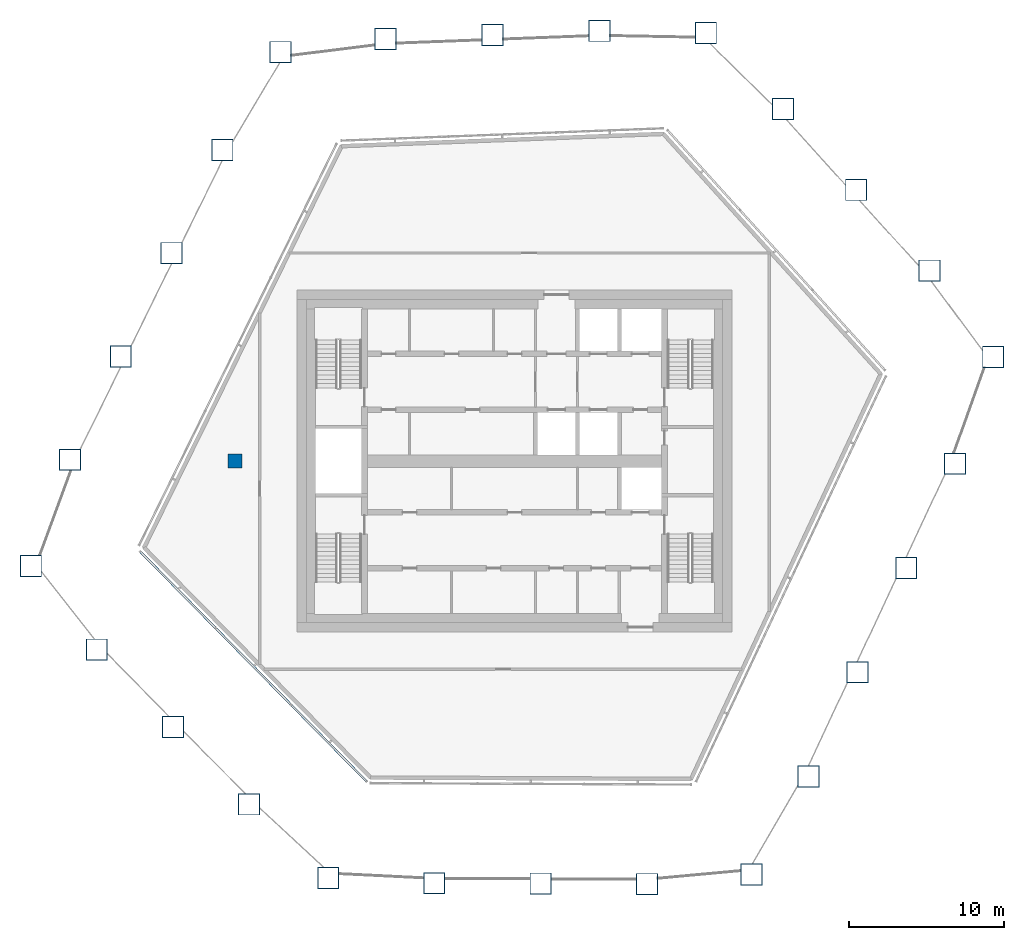
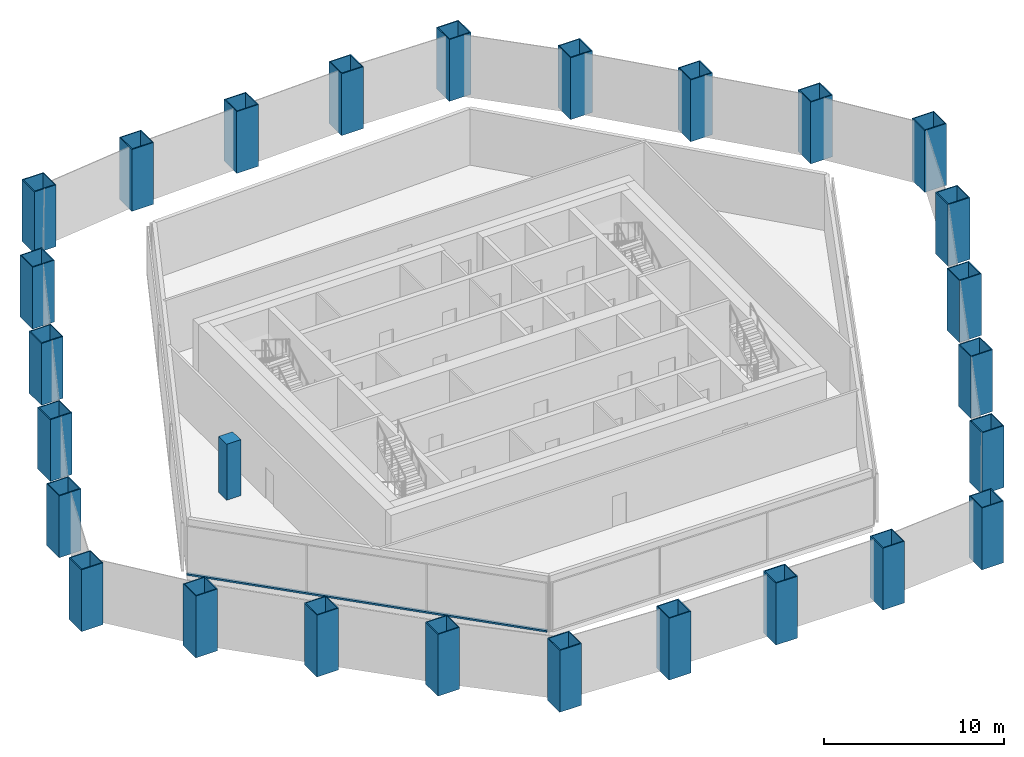
# One storey, part 1 of 18: 27 columns, 1 member, 1 element without a shape of its own.
"""IFC4 building model written with IfcOpenShell, lengths in metres."""

import ifcopenshell
import ifcopenshell.guid

model = None  # the IFC model being written
_history = None  # IfcOwnerHistory: only IFC2X3 demands one
_inside = {}  # id of a spatial element -> (the spatial element, [elements in it])
_under = {}  # id of a project, library or spatial element -> (it, [spatial elements below it])
_declared = {}  # id of a project -> (the project, [libraries it declares])
_typed = {}  # id of a type object -> (the type object, [elements of that type])
_made_of = {}  # id of a material, layer set ... -> (it, [elements and type objects made of it])


def new_model(schema):
    """Start an empty IFC model of exactly this schema.

    Asked for "IFC4X3", IfcOpenShell would pick the latest addendum, in which some entities
    have other attributes; the version numbers below select the first issue.
    IFC2X3 requires an IfcOwnerHistory on every rooted entity: one is made here for all.
    """
    global model, _history
    if schema == "IFC4X3":
        model = ifcopenshell.file(schema_version=(4, 3, 0, 0))
    else:
        model = ifcopenshell.file(schema=schema)
    _inside.clear()
    _under.clear()
    _declared.clear()
    _typed.clear()
    _made_of.clear()
    _history = None
    if model.schema == "IFC2X3":
        org = make("IfcOrganization", Name="unknown")
        user = make(
            "IfcPersonAndOrganization",
            ThePerson=make("IfcPerson", FamilyName="unknown"),
            TheOrganization=org,
        )
        app = make(
            "IfcApplication",
            ApplicationDeveloper=org,
            Version="unknown",
            ApplicationFullName="unknown",
            ApplicationIdentifier="unknown",
        )
        _history = make(
            "IfcOwnerHistory",
            OwningUser=user,
            OwningApplication=app,
            ChangeAction="ADDED",
            CreationDate=0,
        )
    return model


def make(cls, **values):
    """One entity of the class cls with the attributes given. An attribute that is None is left unset."""
    return model.create_entity(
        cls, **{name: value for name, value in values.items() if value is not None}
    )


def rooted(cls, **values):
    """An entity with a GlobalId (a new one), such as an element, a storey or a relation."""
    return make(cls, GlobalId=ifcopenshell.guid.new(), OwnerHistory=_history, **values)


def si_unit(unit_type, name, prefix=None):
    """IfcSIUnit, for example si_unit("LENGTHUNIT", "METRE", prefix="MILLI")."""
    return make("IfcSIUnit", UnitType=unit_type, Prefix=prefix, Name=name)


def assignment(units):
    """IfcUnitAssignment: the units of a project."""
    return None if units is None else make("IfcUnitAssignment", Units=units)


def point(xyz):
    """IfcCartesianPoint."""
    return None if xyz is None else make("IfcCartesianPoint", Coordinates=xyz)


def direction(xyz):
    """IfcDirection."""
    return None if xyz is None else make("IfcDirection", DirectionRatios=xyz)


def frame(location, z_axis=None, x_axis=None):
    """IfcAxis2Placement3D, a coordinate frame: its origin and axes. An axis left out is left unset."""
    return make(
        "IfcAxis2Placement3D",
        Location=point(location),
        Axis=direction(z_axis),
        RefDirection=direction(x_axis),
    )


def frame_2d(location, x_axis=None):
    """IfcAxis2Placement2D, a coordinate frame in the plane: its origin and x axis."""
    return make(
        "IfcAxis2Placement2D", Location=point(location), RefDirection=direction(x_axis)
    )


def origin():
    """The frame at (0, 0, 0) with its axes left unset."""
    return frame((0.0, 0.0, 0.0))


def origin_2d():
    """The frame at (0, 0) in the plane with its x axis left unset."""
    return frame_2d((0.0, 0.0))


def place(relative_to, where):
    """IfcLocalPlacement: puts the frame where relative to a parent placement (None: the world)."""
    return make(
        "IfcLocalPlacement", PlacementRelTo=relative_to, RelativePlacement=where
    )


def context(
    kind, dimensions, precision=None, world=None, true_north=None, identifier=None
):
    """IfcGeometricRepresentationContext, for example the 3D "Model" context."""
    return make(
        "IfcGeometricRepresentationContext",
        ContextIdentifier=identifier,
        ContextType=kind,
        CoordinateSpaceDimension=dimensions,
        Precision=precision,
        WorldCoordinateSystem=world,
        TrueNorth=true_north,
    )


def subcontext(parent, identifier, kind, view, scale=None):
    """IfcGeometricRepresentationSubContext, for example "Body" below "Model"."""
    return make(
        "IfcGeometricRepresentationSubContext",
        ContextIdentifier=identifier,
        ContextType=kind,
        ParentContext=parent,
        TargetScale=scale,
        TargetView=view,
    )


def project(units=None, contexts=None):
    """IfcProject with its units and contexts."""
    return rooted(
        "IfcProject",
        Name="project",
        RepresentationContexts=contexts,
        UnitsInContext=assignment(units),
    )


def spatial(cls, under=None, at=None, **own):
    """A site, building, storey or space (cls), placed at a placement, below another one or the project."""
    s = rooted(cls, ObjectPlacement=at, **own)
    if under is not None:
        _under.setdefault(under.id(), (under, []))[1].append(s)
    return s


def profile(cls, at=None, kind="AREA", **sizes):
    """A parametric profile (cls). Its sizes go by their IFC names, for example OverallWidth=200.0."""
    return make(cls, ProfileType=kind, Position=at, **sizes)


def rectangle(**sizes):
    """IfcRectangleProfileDef."""
    return profile("IfcRectangleProfileDef", **sizes)


def hollow_rectangle(**sizes):
    """IfcRectangleHollowProfileDef."""
    return profile("IfcRectangleHollowProfileDef", **sizes)


def extrude(swept, where, along, depth):
    """IfcExtrudedAreaSolid: the profile swept, set in the frame where, extruded along a direction by depth."""
    return make(
        "IfcExtrudedAreaSolid",
        SweptArea=swept,
        Position=where,
        ExtrudedDirection=direction(along),
        Depth=depth,
    )


def shape(context_of_items, identifier, shape_type, items):
    """IfcShapeRepresentation: the items that make up one representation, for example the "Body"."""
    return make(
        "IfcShapeRepresentation",
        ContextOfItems=context_of_items,
        RepresentationIdentifier=identifier,
        RepresentationType=shape_type,
        Items=items,
    )


def material(Name=None, Category=None):
    """IfcMaterial."""
    return make("IfcMaterial", Name=Name, Category=Category)


def layer(
    of_material, thickness, ventilated=None, Name=None, Category=None, Priority=None
):
    """IfcMaterialLayer: one layer of a wall or slab, of a material (None: an air gap)."""
    return make(
        "IfcMaterialLayer",
        Material=of_material,
        LayerThickness=thickness,
        IsVentilated=ventilated,
        Name=Name,
        Category=Category,
        Priority=Priority,
    )


def layer_set(layers, Name=None):
    """IfcMaterialLayerSet."""
    return make("IfcMaterialLayerSet", MaterialLayers=layers, LayerSetName=Name)


def material_profile(
    of_material, cross_section, Name=None, Category=None, Priority=None
):
    """IfcMaterialProfile: a cross section and its material."""
    return make(
        "IfcMaterialProfile",
        Name=Name,
        Material=of_material,
        Profile=cross_section,
        Priority=Priority,
        Category=Category,
    )


def profile_set(profiles, Name=None, composite=None):
    """IfcMaterialProfileSet."""
    return make(
        "IfcMaterialProfileSet",
        Name=Name,
        MaterialProfiles=profiles,
        CompositeProfile=composite,
    )


def made_of(thing, what):
    """Note that an element or type object is made of a material, layer set ...; save() writes the relation."""
    if what is not None:
        _made_of.setdefault(what.id(), (what, []))[1].append(thing)
    return thing


def type_object(cls, material=None, **own):
    """A type object (cls), such as IfcWallType, which elements share."""
    return made_of(rooted(cls, **own), material)


def element(
    cls,
    number,
    at=None,
    inside=None,
    cuts=None,
    type_object=None,
    material=None,
    context=None,
    identifier="Body",
    shape_type=None,
    held_by="IfcProductDefinitionShape",
    body=None,
    shapes=None,
    **own,
):
    """One element of the class cls, such as IfcWall. Its Tag is "e" and its number.

    at: its placement. inside: the storey or other place that contains it. cuts: it is an
    opening in that element (IfcRelVoidsElement). A single representation is given by context,
    identifier, shape_type and body (its items); several are given by shapes. held_by: the class
    of the entity that holds the representations. save() writes the other relations.
    """
    e = rooted(cls, Tag="e%d" % number, ObjectPlacement=at, **own)
    if body is not None:
        shapes = [shape(context, identifier, shape_type, body)]
    if shapes is not None:
        e.Representation = make(held_by, Representations=shapes)
    if inside is not None:
        _inside.setdefault(inside.id(), (inside, []))[1].append(e)
    if cuts is not None:
        rooted(
            "IfcRelVoidsElement", RelatingBuildingElement=cuts, RelatedOpeningElement=e
        )
    if type_object is not None:
        _typed.setdefault(type_object.id(), (type_object, []))[1].append(e)
    return made_of(e, material)


def aggregate(whole, parts):
    """IfcRelAggregates: a whole, such as a stair, and the parts it consists of."""
    return rooted("IfcRelAggregates", RelatingObject=whole, RelatedObjects=parts)


def save(model, path):
    """Write the relations noted so far, then the file.

    IfcRelAggregates (storeys below a building ...), IfcRelContainedInSpatialStructure (elements
    in a storey), IfcRelDefinesByType, IfcRelAssociatesMaterial and IfcRelDeclares: one each for
    every whole, place, type object, material and project.
    """
    for whole, parts in _under.values():
        aggregate(whole, parts)
    for where, things in _inside.values():
        rooted(
            "IfcRelContainedInSpatialStructure",
            RelatedElements=things,
            RelatingStructure=where,
        )
    for kind, things in _typed.values():
        rooted("IfcRelDefinesByType", RelatedObjects=things, RelatingType=kind)
    for what, things in _made_of.values():
        rooted("IfcRelAssociatesMaterial", RelatedObjects=things, RelatingMaterial=what)
    for by, libraries in _declared.values():
        rooted("IfcRelDeclares", RelatingContext=by, RelatedDefinitions=libraries)
    model.write(path)


model = new_model("IFC4")

# Units and contexts
model_context = context("Model", 3, precision=1e-05, world=origin(), true_north=direction((0.0, 1.0)))
body_context = subcontext(model_context, "Body", "Model", "MODEL_VIEW")
ifc_project = project(units=[si_unit("LENGTHUNIT", "METRE"), si_unit("AREAUNIT", "SQUARE_METRE"), si_unit("VOLUMEUNIT", "CUBIC_METRE"), si_unit("PLANEANGLEUNIT", "RADIAN"), si_unit("MASSUNIT", "GRAM", prefix="KILO")], contexts=[model_context])

# Site, building, storey
site_placement = place(None, origin())
site = spatial("IfcSite", under=ifc_project, at=site_placement, CompositionType="ELEMENT")
building_placement = place(site_placement, origin())
building = spatial("IfcBuilding", under=site, at=building_placement, Name="Dongbaek Canopy Tower", CompositionType="ELEMENT")
storey_placement = place(building_placement, frame((0.0, 0.0, 363.199951171875)))
storey = spatial("IfcBuildingStorey", under=building, at=storey_placement, Name="L78", CompositionType="ELEMENT", Elevation=363.199951171875)

# Columns
ifc_material_1 = material(Name="Steel S355", Category="steel")
ifc_material_profile_1 = material_profile(ifc_material_1, hollow_rectangle(XDim=1.39990234375, YDim=1.39990234375, WallThickness=0.06005859375, at=origin_2d()), Name="COLUMN BOX 1400x1400x60 Steel S355")
ifc_profile_set_1 = profile_set([ifc_material_profile_1], Name="Steel S355")
column_type_1 = type_object("IfcColumnType", Name="COLUMN BOX 1400x1400x60 Steel S355", PredefinedType="COLUMN", material=ifc_profile_set_1)
for number, where, z_axis, x_axis, name in (
    (1, (-31.12890625, -6.7451171875, 0.0), (0.0, 0.0, 1.0), (1.0, 0.0, 0.0), "CANOPYCOL:CCN-09:L78"),
    (2, (-26.888916015625, -12.134033203125, 0.0), (0.0, 0.0, 1.0), (1.0, 0.0, 0.0), "CANOPYCOL:CCN-08:L78"),
    (3, (-21.986083984375, -17.112060546875, 0.0), (0.0, 0.0, 1.0), (1.0, 0.0, 0.0), "CANOPYCOL:CCN-07:L78"),
    (4, (-17.083984375, -22.089111328125, 0.0), (0.0, 0.0, 1.0), (1.0, 0.0, 0.0), "CANOPYCOL:CCN-06:L78"),
    (5, (-11.985107421875, -26.8310546875, 0.0), (0.0, 0.0, 1.0), (1.0, 0.0, 0.0), "CANOPYCOL:CCN-05:L78"),
    (6, (-5.166015625, -27.1669921875, 0.0), (0.0, 0.0, 1.0), (1.0, 0.0, 0.0), "CANOPYCOL:CCN-04:L78"),
    (7, (1.68310546875, -27.197021484375, 0.0), (0.0, 0.0, 1.0), (1.0, 0.0, 0.0), "CANOPYCOL:CCN-03:L78"),
    (8, (8.533935546875, -27.22705078125, 0.0), (0.0, 0.0, 1.0), (1.0, 0.0, 0.0), "CANOPYCOL:CCN-02:L78"),
    (9, (15.251953125, -26.60693359375, 0.0), (0.0, 0.0, 1.0), (1.0, 0.0, 0.0), "CANOPYCOL:CCN-01:L78"),
    (10, (18.925048828125, -20.2958984375, 0.0), (0.0, 0.0, 1.0), (1.0, 0.0, 0.0), "CANOPYCOL:CCN-26:L78"),
    (11, (22.068115234375, -13.587890625, 0.0), (0.0, 0.0, 1.0), (1.0, 0.0, 0.0), "CANOPYCOL:CCN-25:L78"),
    (12, (25.2099609375, -6.87890625, 0.0), (0.0, 0.0, 1.0), (1.0, 0.0, 0.0), "CANOPYCOL:CCN-24:L78"),
    (13, (28.35107421875, -0.169921875, 0.0), (0.0, 0.0, 1.0), (1.0, 0.0, 0.0), "CANOPYCOL:CCN-23:L78"),
    (14, (30.804931640625, 6.697998046875, 0.0), (0.0, 0.0, 1.0), (1.0, 0.0, 0.0), "CANOPYCOL:CCN-22:L78"),
    (15, (26.702880859375, 12.257080078125, 0.0), (0.0, 0.0, 1.0), (1.0, 0.0, 0.0), "CANOPYCOL:CCN-21:L78"),
    (16, (21.989990234375, 17.4619140625, 0.0), (0.0, 0.0, 1.0), (1.0, 0.0, 0.0), "CANOPYCOL:CCN-20:L78"),
    (17, (17.27587890625, 22.666015625, 0.0), (0.0, 0.0, 1.0), (1.0, 0.0, 0.0), "CANOPYCOL:CCN-19:L78"),
    (18, (12.31396484375, 27.56298828125, 0.0), (0.0, 0.0, 1.0), (1.0, 0.0, 0.0), "CANOPYCOL:CCN-18:L78"),
    (19, (5.470947265625, 27.69189453125, 0.0), (0.0, 0.0, 1.0), (1.0, 0.0, 0.0), "CANOPYCOL:CCN-17:L78"),
    (20, (-1.41796875, 27.427978515625, 0.0), (0.0, 0.0, 1.0), (1.0, 0.0, 0.0), "CANOPYCOL:CCN-16:L78"),
    (21, (-8.30908203125, 27.1640625, 0.0), (0.0, 0.0, 1.0), (1.0, 0.0, 0.0), "CANOPYCOL:CCN-15:L78"),
    (22, (-15.06201171875, 26.321044921875, 0.0), (0.0, 0.0, 1.0), (1.0, 0.0, 0.0), "CANOPYCOL:CCN-14:L78"),
    (23, (-18.805908203125, 20.031982421875, 0.0), (0.0, 0.0, 1.0), (1.0, 0.0, 0.0), "CANOPYCOL:CCN-13:L78"),
    (24, (-22.075927734375, 13.384033203125, 0.0), (0.0, 0.0, 1.0), (1.0, 0.0, 0.0), "CANOPYCOL:CCN-12:L78"),
    (25, (-25.346923828125, 6.735107421875, 0.0), (0.0, 0.0, 1.0), (1.0, 0.0, 0.0), "CANOPYCOL:CCN-11:L78"),
    (26, (-28.616943359375, 0.0859375, 0.0), (0.0, 0.0, 1.0), (1.0, 0.0, 0.0), "CANOPYCOL:CCN-10:L78"),
):
    element("IfcColumn", number, at=place(storey_placement, frame(where, z_axis=z_axis, x_axis=x_axis)), inside=storey, type_object=column_type_1, Name=name, PredefinedType="COLUMN", context=body_context, shape_type="SweptSolid", body=[
        extrude(hollow_rectangle(XDim=1.39990234375, YDim=1.39990234375, WallThickness=0.06005859375, at=origin_2d()), origin(), (0.0, 0.0, 1.0), 4.199951171875),
    ])
ifc_material_2 = material(Name="Concrete C60", Category="concrete")
ifc_material_profile_2 = material_profile(ifc_material_2, rectangle(XDim=0.89990234375, YDim=0.89990234375, at=origin_2d()), Name="RC COLUMN 900x900 C60")
ifc_profile_set_2 = profile_set([ifc_material_profile_2], Name="Concrete C60")
column_type_2 = type_object("IfcColumnType", Name="RC COLUMN 900x900 C60", PredefinedType="COLUMN", material=ifc_profile_set_2)
column_placement = place(storey_placement, frame((-18.0, 0.0, 0.0), z_axis=(0.0, 0.0, 1.0), x_axis=(1.0, 0.0, 0.0)))
element("IfcColumn", 27, at=column_placement, inside=storey, type_object=column_type_2, Name="COL:CIC-01:L78", PredefinedType="COLUMN", context=body_context, shape_type="SweptSolid", body=[
    extrude(rectangle(XDim=0.89990234375, YDim=0.89990234375, at=origin_2d()), origin(), (0.0, 0.0, 1.0), 3.800048828125),
])

# Curtain wall, member
ifc_material_3 = material(Name="Aluminium 6063-T6 pale anodised", Category="aluminium")
ifc_layer = layer(ifc_material_3, 0.14990234375)
ifc_layer_set = layer_set([ifc_layer], Name="CW-7 louvre curtain wall")
curtain_wall_type = type_object("IfcCurtainWallType", Name="CW-7 louvre curtain wall", PredefinedType="NOTDEFINED", material=ifc_layer_set)
curtain_wall_placement = place(storey_placement, origin())
curtain_wall = element("IfcCurtainWall", 28, at=curtain_wall_placement, inside=storey, type_object=curtain_wall_type, Name="CW-7 louvre wall L78 F5", PredefinedType="NOTDEFINED")
ifc_material_4 = material(Name="Aluminium 6063-T6 pale anodised", Category="aluminium")
ifc_material_profile_3 = material_profile(ifc_material_4, rectangle(XDim=0.14990234375, YDim=0.1201171875, at=origin_2d()), Name="CW-7 transom 120 x 150")
ifc_profile_set_3 = profile_set([ifc_material_profile_3], Name="Aluminium 6063-T6 pale anodised")
member_type = type_object("IfcMemberType", Name="CW-7 transom 120 x 150", PredefinedType="USERDEFINED", material=ifc_profile_set_3)
member_placement = place(storey_placement, frame((-24.1005859375, -5.813720703125, 0.239990234375), z_axis=(0.701718568407, -0.712454244673, 0.0), x_axis=(0.712454244673, 0.701718568407, 0.0)))
member = element("IfcMember", 29, at=member_placement, type_object=member_type, Name="CW-7 transom L78 F5.1", ObjectType="TRANSOM", PredefinedType="USERDEFINED", context=body_context, shape_type="SweptSolid", body=[
    extrude(rectangle(XDim=0.14990234375, YDim=0.1201171875, at=origin_2d()), origin(), (0.0, 0.0, 1.0), 20.785400390625),
])
aggregate(curtain_wall, [member])

save(model, "model.ifc")
